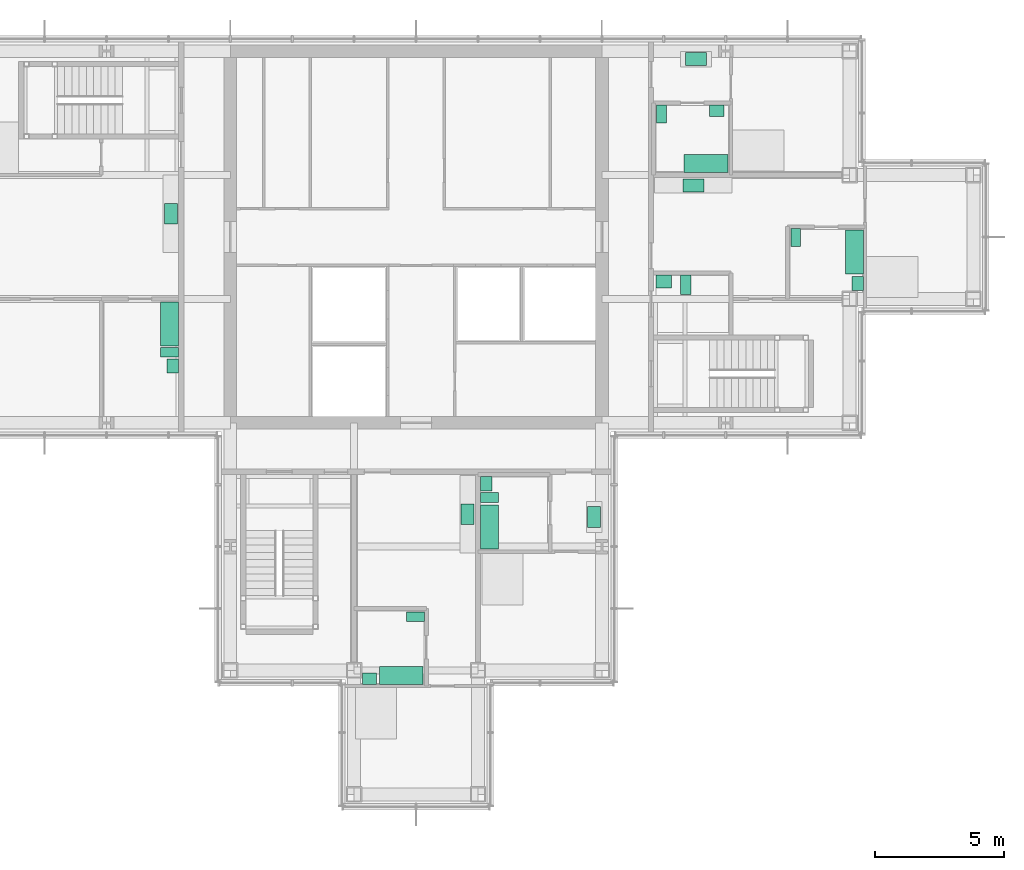
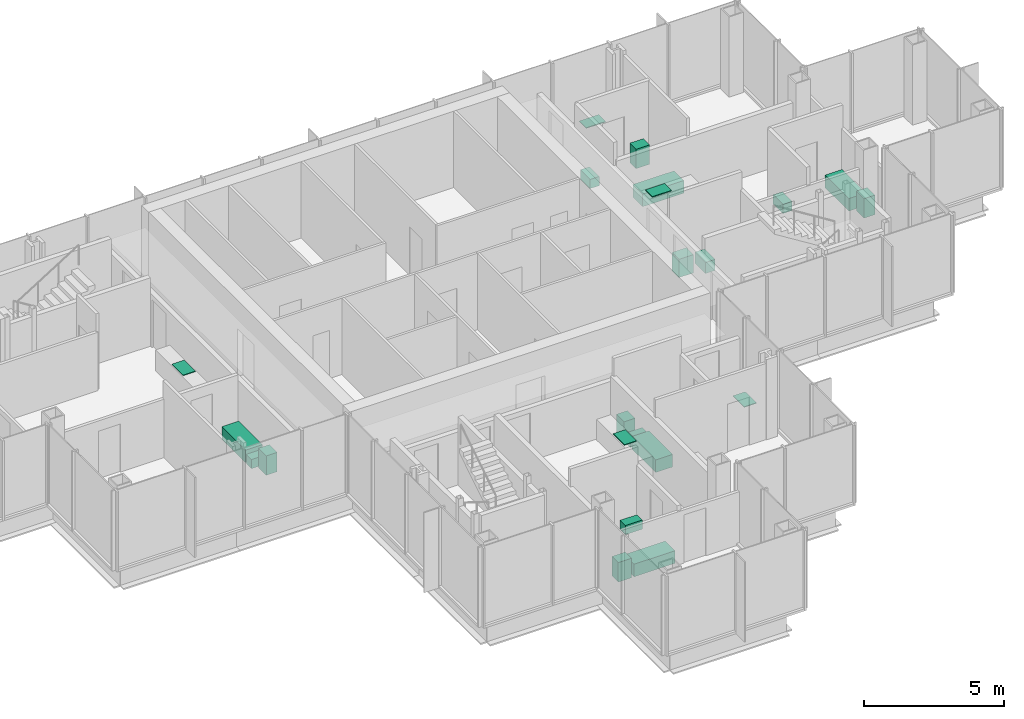
# One storey, part 14 of 15: 22 sanitary terminals.
"""IFC4 building model written with IfcOpenShell, lengths in metres."""

import ifcopenshell
import ifcopenshell.guid

model = None  # the IFC model being written
_history = None  # IfcOwnerHistory: only IFC2X3 demands one
_inside = {}  # id of a spatial element -> (the spatial element, [elements in it])
_under = {}  # id of a project, library or spatial element -> (it, [spatial elements below it])
_declared = {}  # id of a project -> (the project, [libraries it declares])
_typed = {}  # id of a type object -> (the type object, [elements of that type])
_made_of = {}  # id of a material, layer set ... -> (it, [elements and type objects made of it])


def new_model(schema):
    """Start an empty IFC model of exactly this schema.

    Asked for "IFC4X3", IfcOpenShell would pick the latest addendum, in which some entities
    have other attributes; the version numbers below select the first issue.
    IFC2X3 requires an IfcOwnerHistory on every rooted entity: one is made here for all.
    """
    global model, _history
    if schema == "IFC4X3":
        model = ifcopenshell.file(schema_version=(4, 3, 0, 0))
    else:
        model = ifcopenshell.file(schema=schema)
    _inside.clear()
    _under.clear()
    _declared.clear()
    _typed.clear()
    _made_of.clear()
    _history = None
    if model.schema == "IFC2X3":
        org = make("IfcOrganization", Name="unknown")
        user = make(
            "IfcPersonAndOrganization",
            ThePerson=make("IfcPerson", FamilyName="unknown"),
            TheOrganization=org,
        )
        app = make(
            "IfcApplication",
            ApplicationDeveloper=org,
            Version="unknown",
            ApplicationFullName="unknown",
            ApplicationIdentifier="unknown",
        )
        _history = make(
            "IfcOwnerHistory",
            OwningUser=user,
            OwningApplication=app,
            ChangeAction="ADDED",
            CreationDate=0,
        )
    return model


def make(cls, **values):
    """One entity of the class cls with the attributes given. An attribute that is None is left unset."""
    return model.create_entity(
        cls, **{name: value for name, value in values.items() if value is not None}
    )


def rooted(cls, **values):
    """An entity with a GlobalId (a new one), such as an element, a storey or a relation."""
    return make(cls, GlobalId=ifcopenshell.guid.new(), OwnerHistory=_history, **values)


def si_unit(unit_type, name, prefix=None):
    """IfcSIUnit, for example si_unit("LENGTHUNIT", "METRE", prefix="MILLI")."""
    return make("IfcSIUnit", UnitType=unit_type, Prefix=prefix, Name=name)


def assignment(units):
    """IfcUnitAssignment: the units of a project."""
    return None if units is None else make("IfcUnitAssignment", Units=units)


def point(xyz):
    """IfcCartesianPoint."""
    return None if xyz is None else make("IfcCartesianPoint", Coordinates=xyz)


def direction(xyz):
    """IfcDirection."""
    return None if xyz is None else make("IfcDirection", DirectionRatios=xyz)


def frame(location, z_axis=None, x_axis=None):
    """IfcAxis2Placement3D, a coordinate frame: its origin and axes. An axis left out is left unset."""
    return make(
        "IfcAxis2Placement3D",
        Location=point(location),
        Axis=direction(z_axis),
        RefDirection=direction(x_axis),
    )


def frame_2d(location, x_axis=None):
    """IfcAxis2Placement2D, a coordinate frame in the plane: its origin and x axis."""
    return make(
        "IfcAxis2Placement2D", Location=point(location), RefDirection=direction(x_axis)
    )


def origin():
    """The frame at (0, 0, 0) with its axes left unset."""
    return frame((0.0, 0.0, 0.0))


def origin_2d():
    """The frame at (0, 0) in the plane with its x axis left unset."""
    return frame_2d((0.0, 0.0))


def place(relative_to, where):
    """IfcLocalPlacement: puts the frame where relative to a parent placement (None: the world)."""
    return make(
        "IfcLocalPlacement", PlacementRelTo=relative_to, RelativePlacement=where
    )


def context(
    kind, dimensions, precision=None, world=None, true_north=None, identifier=None
):
    """IfcGeometricRepresentationContext, for example the 3D "Model" context."""
    return make(
        "IfcGeometricRepresentationContext",
        ContextIdentifier=identifier,
        ContextType=kind,
        CoordinateSpaceDimension=dimensions,
        Precision=precision,
        WorldCoordinateSystem=world,
        TrueNorth=true_north,
    )


def subcontext(parent, identifier, kind, view, scale=None):
    """IfcGeometricRepresentationSubContext, for example "Body" below "Model"."""
    return make(
        "IfcGeometricRepresentationSubContext",
        ContextIdentifier=identifier,
        ContextType=kind,
        ParentContext=parent,
        TargetScale=scale,
        TargetView=view,
    )


def project(units=None, contexts=None):
    """IfcProject with its units and contexts."""
    return rooted(
        "IfcProject",
        Name="project",
        RepresentationContexts=contexts,
        UnitsInContext=assignment(units),
    )


def spatial(cls, under=None, at=None, **own):
    """A site, building, storey or space (cls), placed at a placement, below another one or the project."""
    s = rooted(cls, ObjectPlacement=at, **own)
    if under is not None:
        _under.setdefault(under.id(), (under, []))[1].append(s)
    return s


def profile(cls, at=None, kind="AREA", **sizes):
    """A parametric profile (cls). Its sizes go by their IFC names, for example OverallWidth=200.0."""
    return make(cls, ProfileType=kind, Position=at, **sizes)


def rectangle(**sizes):
    """IfcRectangleProfileDef."""
    return profile("IfcRectangleProfileDef", **sizes)


def extrude(swept, where, along, depth):
    """IfcExtrudedAreaSolid: the profile swept, set in the frame where, extruded along a direction by depth."""
    return make(
        "IfcExtrudedAreaSolid",
        SweptArea=swept,
        Position=where,
        ExtrudedDirection=direction(along),
        Depth=depth,
    )


def shape(context_of_items, identifier, shape_type, items):
    """IfcShapeRepresentation: the items that make up one representation, for example the "Body"."""
    return make(
        "IfcShapeRepresentation",
        ContextOfItems=context_of_items,
        RepresentationIdentifier=identifier,
        RepresentationType=shape_type,
        Items=items,
    )


def material(Name=None, Category=None):
    """IfcMaterial."""
    return make("IfcMaterial", Name=Name, Category=Category)


def made_of(thing, what):
    """Note that an element or type object is made of a material, layer set ...; save() writes the relation."""
    if what is not None:
        _made_of.setdefault(what.id(), (what, []))[1].append(thing)
    return thing


def type_object(cls, material=None, **own):
    """A type object (cls), such as IfcWallType, which elements share."""
    return made_of(rooted(cls, **own), material)


def element(
    cls,
    number,
    at=None,
    inside=None,
    cuts=None,
    type_object=None,
    material=None,
    context=None,
    identifier="Body",
    shape_type=None,
    held_by="IfcProductDefinitionShape",
    body=None,
    shapes=None,
    **own,
):
    """One element of the class cls, such as IfcWall. Its Tag is "e" and its number.

    at: its placement. inside: the storey or other place that contains it. cuts: it is an
    opening in that element (IfcRelVoidsElement). A single representation is given by context,
    identifier, shape_type and body (its items); several are given by shapes. held_by: the class
    of the entity that holds the representations. save() writes the other relations.
    """
    e = rooted(cls, Tag="e%d" % number, ObjectPlacement=at, **own)
    if body is not None:
        shapes = [shape(context, identifier, shape_type, body)]
    if shapes is not None:
        e.Representation = make(held_by, Representations=shapes)
    if inside is not None:
        _inside.setdefault(inside.id(), (inside, []))[1].append(e)
    if cuts is not None:
        rooted(
            "IfcRelVoidsElement", RelatingBuildingElement=cuts, RelatedOpeningElement=e
        )
    if type_object is not None:
        _typed.setdefault(type_object.id(), (type_object, []))[1].append(e)
    return made_of(e, material)


def aggregate(whole, parts):
    """IfcRelAggregates: a whole, such as a stair, and the parts it consists of."""
    return rooted("IfcRelAggregates", RelatingObject=whole, RelatedObjects=parts)


def save(model, path):
    """Write the relations noted so far, then the file.

    IfcRelAggregates (storeys below a building ...), IfcRelContainedInSpatialStructure (elements
    in a storey), IfcRelDefinesByType, IfcRelAssociatesMaterial and IfcRelDeclares: one each for
    every whole, place, type object, material and project.
    """
    for whole, parts in _under.values():
        aggregate(whole, parts)
    for where, things in _inside.values():
        rooted(
            "IfcRelContainedInSpatialStructure",
            RelatedElements=things,
            RelatingStructure=where,
        )
    for kind, things in _typed.values():
        rooted("IfcRelDefinesByType", RelatedObjects=things, RelatingType=kind)
    for what, things in _made_of.values():
        rooted("IfcRelAssociatesMaterial", RelatedObjects=things, RelatingMaterial=what)
    for by, libraries in _declared.values():
        rooted("IfcRelDeclares", RelatingContext=by, RelatedDefinitions=libraries)
    model.write(path)


model = new_model("IFC4")

# Units and contexts
model_context = context("Model", 3, precision=1e-05, world=origin(), true_north=direction((0.0, 1.0)))
body_context = subcontext(model_context, "Body", "Model", "MODEL_VIEW")
ifc_project = project(units=[si_unit("LENGTHUNIT", "METRE"), si_unit("AREAUNIT", "SQUARE_METRE"), si_unit("VOLUMEUNIT", "CUBIC_METRE"), si_unit("PLANEANGLEUNIT", "RADIAN"), si_unit("MASSUNIT", "GRAM", prefix="KILO")], contexts=[model_context])

# Site, building, storey
site_placement = place(None, origin())
site = spatial("IfcSite", under=ifc_project, at=site_placement, CompositionType="ELEMENT")
building_placement = place(site_placement, origin())
building = spatial("IfcBuilding", under=site, at=building_placement, Name="Kvirike Care Tower", CompositionType="ELEMENT")
storey_placement = place(building_placement, frame((0.0, 0.0, 219.0)))
storey = spatial("IfcBuildingStorey", under=building, at=storey_placement, Name="L60", CompositionType="ELEMENT", Elevation=219.0)

# Sanitary terminals
ifc_material_1 = material(Name="Vitreous china", Category="ceramic")
sanitary_terminal_type_1 = type_object("IfcSanitaryTerminalType", Name="ACCESSIBLE WASH BASIN 600 x 500", PredefinedType="WASHHANDBASIN", material=ifc_material_1)
sanitary_terminal_1_placement = place(storey_placement, frame((31.199951171875, 34.27294921875, 0.02001953125), z_axis=(0.0, 0.0, 1.0), x_axis=(1.0, 0.0, 0.0)))
element("IfcSanitaryTerminal", 1, at=sanitary_terminal_1_placement, inside=storey, type_object=sanitary_terminal_type_1, Name="Accessible wash basin L60-021", PredefinedType="WASHHANDBASIN", context=body_context, shape_type="SweptSolid", body=[
    extrude(rectangle(XDim=0.60009765625, YDim=0.5, at=origin_2d()), origin(), (0.0, 0.0, 1.0), 0.800048828125),
])
ifc_material_2 = material(Name="Vitreous china", Category="ceramic")
sanitary_terminal_type_2 = type_object("IfcSanitaryTerminalType", Name="ACCESSIBLE WC PAN 400 x 750", PredefinedType="TOILETPAN", material=ifc_material_2)
sanitary_terminal_2_placement = place(storey_placement, frame((32.050048828125, 34.14794921875, 0.02001953125), z_axis=(0.0, 0.0, 1.0), x_axis=(1.0, 0.0, 0.0)))
element("IfcSanitaryTerminal", 2, at=sanitary_terminal_2_placement, inside=storey, type_object=sanitary_terminal_type_2, Name="Accessible WC pan L60-021", PredefinedType="TOILETPAN", context=body_context, shape_type="SweptSolid", body=[
    extrude(rectangle(XDim=0.39990234375, YDim=0.75, at=origin_2d()), origin(), (0.0, 0.0, 1.0), 0.47998046875),
])
ifc_material_3 = material(Name="Enamelled steel", Category="steel")
sanitary_terminal_type_3 = type_object("IfcSanitaryTerminalType", Name="BATH 1700 x 700", PredefinedType="BATH", material=ifc_material_3)
for number, where, z_axis, x_axis, name in (
    (3, (12.048095703125, 32.625, 0.02001953125), (0.0, 0.0, 1.0), (0.0, -1.0, 0.0), "Bath L60-006"),
    (4, (21.02490234375, 19.011962890625, 0.02001953125), (0.0, 0.0, 1.0), (-1.0, 0.0, 0.0), "Bath L60-012"),
    (5, (24.451904296875, 24.760009765625, 0.02001953125), (0.0, 0.0, 1.0), (0.0, 1.0, 0.0), "Bath L60-015"),
    (6, (38.587890625, 35.425048828125, 0.02001953125), (0.0, 0.0, 1.0), (0.0, -1.0, 0.0), "Bath L60-022"),
    (7, (32.840087890625, 38.85205078125, 0.02001953125), (0.0, 0.0, 1.0), (-1.0, 0.0, 0.0), "Bath L60-025"),
):
    element("IfcSanitaryTerminal", number, at=place(storey_placement, frame(where, z_axis=z_axis, x_axis=x_axis)), inside=storey, type_object=sanitary_terminal_type_3, Name=name, PredefinedType="BATH", context=body_context, shape_type="SweptSolid", body=[
        extrude(rectangle(XDim=1.699951171875, YDim=0.699951171875, at=origin_2d()), origin(), (0.0, 0.0, 1.0), 0.550048828125),
    ])
ifc_material_4 = material(Name="Stainless steel", Category="steel")
sanitary_terminal_type_4 = type_object("IfcSanitaryTerminalType", Name="KITCHEN SINK 800 x 500", PredefinedType="SINK", material=ifc_material_4)
for number, where, z_axis, x_axis, name in (
    (8, (12.097900390625, 36.89990234375, 0.89990234375), (0.0, 0.0, 1.0), (0.0, -1.0, 0.0), "Kitchen sink L60-007"),
    (9, (23.597900390625, 25.25, 0.89990234375), (0.0, 0.0, 1.0), (0.0, -1.0, 0.0), "Kitchen sink L60-013"),
    (10, (28.498046875, 25.14990234375, 0.89990234375), (0.0, 0.0, 1.0), (0.0, -1.0, 0.0), "Kitchen sink L60-016"),
    (11, (32.35009765625, 37.998046875, 0.89990234375), (0.0, 0.0, 1.0), (1.0, 0.0, 0.0), "Kitchen sink L60-023"),
    (12, (32.449951171875, 42.89794921875, 0.89990234375), (0.0, 0.0, 1.0), (1.0, 0.0, 0.0), "Kitchen sink L60-026"),
):
    element("IfcSanitaryTerminal", number, at=place(storey_placement, frame(where, z_axis=z_axis, x_axis=x_axis)), inside=storey, type_object=sanitary_terminal_type_4, Name=name, PredefinedType="SINK", context=body_context, shape_type="SweptSolid", body=[
        extrude(rectangle(XDim=0.800048828125, YDim=0.5, at=origin_2d()), origin(), (0.0, 0.0, 1.0), 0.030029296875),
    ])
ifc_material_5 = material(Name="Vitreous china", Category="ceramic")
sanitary_terminal_type_5 = type_object("IfcSanitaryTerminalType", Name="WASH BASIN 550 x 450", PredefinedType="WASHHANDBASIN", material=ifc_material_5)
for number, where, z_axis, x_axis, name in (
    (13, (12.173095703125, 31.0, 0.02001953125), (0.0, 0.0, 1.0), (0.0, -1.0, 0.0), "Wash basin L60-006"),
    (14, (19.800048828125, 18.886962890625, 0.02001953125), (0.0, 0.0, 1.0), (-1.0, 0.0, 0.0), "Wash basin L60-012"),
    (15, (24.326904296875, 26.43505859375, 0.02001953125), (0.0, 0.0, 1.0), (0.0, 1.0, 0.0), "Wash basin L60-015"),
    (16, (38.712890625, 34.199951171875, 0.02001953125), (0.0, 0.0, 1.0), (0.0, -1.0, 0.0), "Wash basin L60-022"),
    (17, (33.25, 40.89794921875, 0.02001953125), (0.0, 0.0, 1.0), (1.0, 0.0, 0.0), "Wash basin L60-025"),
):
    element("IfcSanitaryTerminal", number, at=place(storey_placement, frame(where, z_axis=z_axis, x_axis=x_axis)), inside=storey, type_object=sanitary_terminal_type_5, Name=name, PredefinedType="WASHHANDBASIN", context=body_context, shape_type="SweptSolid", body=[
        extrude(rectangle(XDim=0.550048828125, YDim=0.449951171875, at=origin_2d()), origin(), (0.0, 0.0, 1.0), 0.85009765625),
    ])
ifc_material_6 = material(Name="Vitreous china", Category="ceramic")
sanitary_terminal_type_6 = type_object("IfcSanitaryTerminalType", Name="WC PAN 380 x 700", PredefinedType="TOILETPAN", material=ifc_material_6)
for number, where, z_axis, x_axis, name in (
    (18, (12.048095703125, 31.534912109375, 0.02001953125), (0.0, 0.0, 1.0), (0.0, -1.0, 0.0), "WC pan L60-006"),
    (19, (21.572998046875, 21.284912109375, 0.02001953125), (0.0, 0.0, 1.0), (0.0, -1.0, 0.0), "WC pan L60-012"),
    (20, (24.451904296875, 25.89990234375, 0.02001953125), (0.0, 0.0, 1.0), (0.0, 1.0, 0.0), "WC pan L60-015"),
    (21, (36.31494140625, 35.972900390625, 0.02001953125), (0.0, 0.0, 1.0), (1.0, 0.0, 0.0), "WC pan L60-022"),
    (22, (31.114990234375, 40.77294921875, 0.02001953125), (0.0, 0.0, 1.0), (1.0, 0.0, 0.0), "WC pan L60-025"),
):
    element("IfcSanitaryTerminal", number, at=place(storey_placement, frame(where, z_axis=z_axis, x_axis=x_axis)), inside=storey, type_object=sanitary_terminal_type_6, Name=name, PredefinedType="TOILETPAN", context=body_context, shape_type="SweptSolid", body=[
        extrude(rectangle(XDim=0.3798828125, YDim=0.699951171875, at=origin_2d()), origin(), (0.0, 0.0, 1.0), 0.39990234375),
    ])

save(model, "model.ifc")
